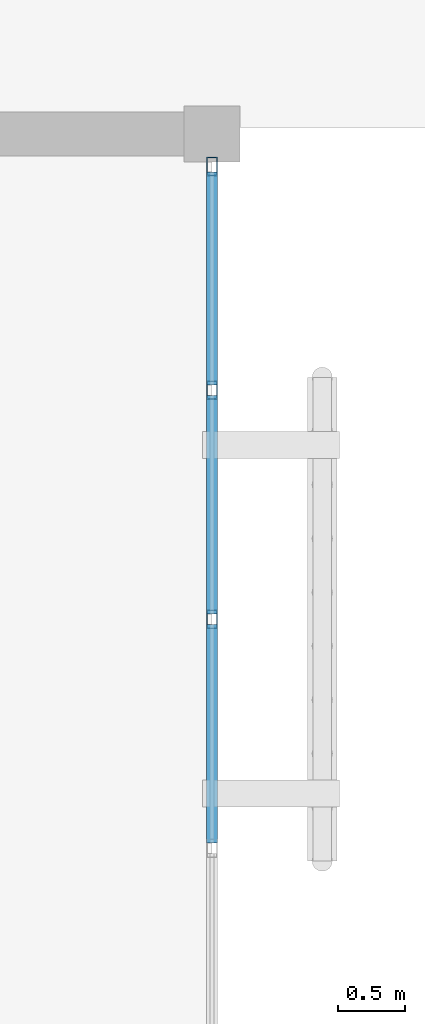
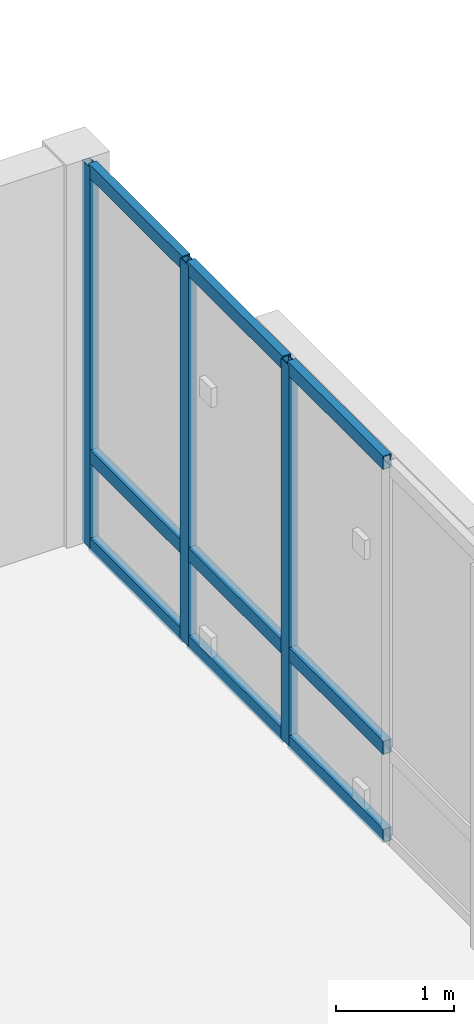
# One storey, part 31 of 61: 12 members, 1 element without a shape of its own.
"""IFC4 building model written with IfcOpenShell, lengths in metres."""

from ifc_helpers import new_model, si_unit, direction, frame, origin, origin_2d, place, context, subcontext, project, spatial, hollow_rectangle, extrude, material, layer, layer_set, material_profile, profile_set, type_object, element, aggregate, save


model = new_model("IFC4")

# Units and contexts
model_context = context("Model", 3, precision=1e-05, world=origin(), true_north=direction((0.0, 1.0)))
body_context = subcontext(model_context, "Body", "Model", "MODEL_VIEW")
ifc_project = project(units=[si_unit("LENGTHUNIT", "METRE"), si_unit("AREAUNIT", "SQUARE_METRE"), si_unit("VOLUMEUNIT", "CUBIC_METRE"), si_unit("PLANEANGLEUNIT", "RADIAN"), si_unit("MASSUNIT", "GRAM", prefix="KILO")], contexts=[model_context])

# Site, building, storey
site_placement = place(None, origin())
site = spatial("IfcSite", under=ifc_project, at=site_placement, CompositionType="ELEMENT")
building_placement = place(site_placement, origin())
building = spatial("IfcBuilding", under=site, at=building_placement, Name="Mazaris Harbour Polytechnic", CompositionType="ELEMENT")
storey_placement = place(building_placement, frame((0.0, 0.0, 18.0)))
storey = spatial("IfcBuildingStorey", under=building, at=storey_placement, Name="L04", CompositionType="ELEMENT", Elevation=18.0)

# Curtain wall, members
ifc_material_1 = material(Name="Anodised Bronze Aluminium and Low-E Glass", Category="aluminium")
ifc_layer = layer(ifc_material_1, 0.159912109375, Name="Anodised Bronze Aluminium and Low-E Glass")
ifc_layer_set = layer_set([ifc_layer], Name="Anodised Bronze Aluminium and Low-E Glass")
curtain_wall_type = type_object("IfcCurtainWallType", Name="Cloister Court Curtain Wall", PredefinedType="NOTDEFINED", material=ifc_layer_set)
curtain_wall_placement = place(storey_placement, origin())
curtain_wall = element("IfcCurtainWall", 1, at=curtain_wall_placement, inside=storey, type_object=curtain_wall_type, Name="V4 L04 Curtain Wall 166", PredefinedType="NOTDEFINED")
ifc_material_2 = material(Name="Anodised Bronze Steel S355", Category="steel")
ifc_material_profile_1 = material_profile(ifc_material_2, hollow_rectangle(XDim=0.080078125, YDim=0.139892578125, WallThickness=0.00634765625, at=origin_2d()), Name="RHS 80x140x6.3")
ifc_profile_set_1 = profile_set([ifc_material_profile_1], Name="Anodised Bronze Steel S355")
member_type_1 = type_object("IfcMemberType", Name="Curtain Mullion RHS80x140", PredefinedType="MULLION", material=ifc_profile_set_1)
member_1_placement = place(storey_placement, frame((43.199951171875, 75.35791015625, 0.0), z_axis=(0.0, 0.0, 1.0), x_axis=(1.0, 0.0, 0.0)))
member_1 = element("IfcMember", 2, at=member_1_placement, type_object=member_type_1, Name="CW-02 mullion 1", PredefinedType="MULLION", context=body_context, shape_type="SweptSolid", body=[
    extrude(hollow_rectangle(XDim=0.080078125, YDim=0.139892578125, WallThickness=0.00634765625, at=origin_2d()), origin(), (0.0, 0.0, 1.0), 3.93505859375),
])
member_2_placement = place(storey_placement, frame((43.199951171875, 73.694091796875, 0.0), z_axis=(0.0, 0.0, 1.0), x_axis=(1.0, 0.0, 0.0)))
member_2 = element("IfcMember", 3, at=member_2_placement, type_object=member_type_1, Name="CW-02 mullion 2", PredefinedType="MULLION", context=body_context, shape_type="SweptSolid", body=[
    extrude(hollow_rectangle(XDim=0.080078125, YDim=0.139892578125, WallThickness=0.00634765625, at=origin_2d()), origin(), (0.0, 0.0, 1.0), 3.93505859375),
])
member_3_placement = place(storey_placement, frame((43.199951171875, 71.989990234375, 0.0), z_axis=(0.0, 0.0, 1.0), x_axis=(1.0, 0.0, 0.0)))
member_3 = element("IfcMember", 4, at=member_3_placement, type_object=member_type_1, Name="CW-02 mullion 3", PredefinedType="MULLION", context=body_context, shape_type="SweptSolid", body=[
    extrude(hollow_rectangle(XDim=0.080078125, YDim=0.139892578125, WallThickness=0.00634765625, at=origin_2d()), origin(), (0.0, 0.0, 1.0), 3.93505859375),
])
ifc_material_3 = material(Name="Anodised Bronze Steel S355", Category="steel")
ifc_material_profile_2 = material_profile(ifc_material_3, hollow_rectangle(XDim=0.080078125, YDim=0.139892578125, WallThickness=0.00634765625, at=origin_2d()), Name="RHS 80x140x6.3")
ifc_profile_set_2 = profile_set([ifc_material_profile_2], Name="Anodised Bronze Steel S355")
member_type_2 = type_object("IfcMemberType", Name="Curtain Transom RHS80x140", PredefinedType="USERDEFINED", material=ifc_profile_set_2)
member_4_placement = place(storey_placement, frame((43.199951171875, 75.318115234375, 0.0400390625), z_axis=(0.0, -1.0, 0.0), x_axis=(1.0, 0.0, 0.0)))
member_4 = element("IfcMember", 5, at=member_4_placement, type_object=member_type_2, Name="CW-02 transom 1.1", ObjectType="TRANSOM", PredefinedType="USERDEFINED", context=body_context, shape_type="SweptSolid", body=[
    extrude(hollow_rectangle(XDim=0.080078125, YDim=0.139892578125, WallThickness=0.00634765625, at=origin_2d()), origin(), (0.0, 0.0, 1.0), 1.584228515625),
])
member_5_placement = place(storey_placement, frame((43.199951171875, 75.318115234375, 0.949951171875), z_axis=(0.0, -1.0, 0.0), x_axis=(1.0, 0.0, 0.0)))
member_5 = element("IfcMember", 6, at=member_5_placement, type_object=member_type_2, Name="CW-02 transom 1.2", ObjectType="TRANSOM", PredefinedType="USERDEFINED", context=body_context, shape_type="SweptSolid", body=[
    extrude(hollow_rectangle(XDim=0.080078125, YDim=0.139892578125, WallThickness=0.00634765625, at=origin_2d()), origin(), (0.0, 0.0, 1.0), 1.584228515625),
])
member_6_placement = place(storey_placement, frame((43.199951171875, 75.318115234375, 3.89501953125), z_axis=(0.0, -1.0, 0.0), x_axis=(1.0, 0.0, 0.0)))
member_6 = element("IfcMember", 7, at=member_6_placement, type_object=member_type_2, Name="CW-02 transom 1.3", ObjectType="TRANSOM", PredefinedType="USERDEFINED", context=body_context, shape_type="SweptSolid", body=[
    extrude(hollow_rectangle(XDim=0.080078125, YDim=0.139892578125, WallThickness=0.00634765625, at=origin_2d()), origin(), (0.0, 0.0, 1.0), 1.584228515625),
])
member_7_placement = place(storey_placement, frame((43.199951171875, 73.654052734375, 0.0400390625), z_axis=(0.0, -1.0, 0.0), x_axis=(1.0, 0.0, 0.0)))
member_7 = element("IfcMember", 8, at=member_7_placement, type_object=member_type_2, Name="CW-02 transom 2.1", ObjectType="TRANSOM", PredefinedType="USERDEFINED", context=body_context, shape_type="SweptSolid", body=[
    extrude(hollow_rectangle(XDim=0.080078125, YDim=0.139892578125, WallThickness=0.00634765625, at=origin_2d()), origin(), (0.0, 0.0, 1.0), 1.6240234375),
])
member_8_placement = place(storey_placement, frame((43.199951171875, 73.654052734375, 0.949951171875), z_axis=(0.0, -1.0, 0.0), x_axis=(1.0, 0.0, 0.0)))
member_8 = element("IfcMember", 9, at=member_8_placement, type_object=member_type_2, Name="CW-02 transom 2.2", ObjectType="TRANSOM", PredefinedType="USERDEFINED", context=body_context, shape_type="SweptSolid", body=[
    extrude(hollow_rectangle(XDim=0.080078125, YDim=0.139892578125, WallThickness=0.00634765625, at=origin_2d()), origin(), (0.0, 0.0, 1.0), 1.6240234375),
])
member_9_placement = place(storey_placement, frame((43.199951171875, 73.654052734375, 3.89501953125), z_axis=(0.0, -1.0, 0.0), x_axis=(1.0, 0.0, 0.0)))
member_9 = element("IfcMember", 10, at=member_9_placement, type_object=member_type_2, Name="CW-02 transom 2.3", ObjectType="TRANSOM", PredefinedType="USERDEFINED", context=body_context, shape_type="SweptSolid", body=[
    extrude(hollow_rectangle(XDim=0.080078125, YDim=0.139892578125, WallThickness=0.00634765625, at=origin_2d()), origin(), (0.0, 0.0, 1.0), 1.6240234375),
])
member_10_placement = place(storey_placement, frame((43.199951171875, 71.949951171875, 0.0400390625), z_axis=(0.0, -1.0, 0.0), x_axis=(1.0, 0.0, 0.0)))
member_10 = element("IfcMember", 11, at=member_10_placement, type_object=member_type_2, Name="CW-02 transom 3.1", ObjectType="TRANSOM", PredefinedType="USERDEFINED", context=body_context, shape_type="SweptSolid", body=[
    extrude(hollow_rectangle(XDim=0.080078125, YDim=0.139892578125, WallThickness=0.00634765625, at=origin_2d()), origin(), (0.0, 0.0, 1.0), 1.6240234375),
])
member_11_placement = place(storey_placement, frame((43.199951171875, 71.949951171875, 0.949951171875), z_axis=(0.0, -1.0, 0.0), x_axis=(1.0, 0.0, 0.0)))
member_11 = element("IfcMember", 12, at=member_11_placement, type_object=member_type_2, Name="CW-02 transom 3.2", ObjectType="TRANSOM", PredefinedType="USERDEFINED", context=body_context, shape_type="SweptSolid", body=[
    extrude(hollow_rectangle(XDim=0.080078125, YDim=0.139892578125, WallThickness=0.00634765625, at=origin_2d()), origin(), (0.0, 0.0, 1.0), 1.6240234375),
])
member_12_placement = place(storey_placement, frame((43.199951171875, 71.949951171875, 3.89501953125), z_axis=(0.0, -1.0, 0.0), x_axis=(1.0, 0.0, 0.0)))
member_12 = element("IfcMember", 13, at=member_12_placement, type_object=member_type_2, Name="CW-02 transom 3.3", ObjectType="TRANSOM", PredefinedType="USERDEFINED", context=body_context, shape_type="SweptSolid", body=[
    extrude(hollow_rectangle(XDim=0.080078125, YDim=0.139892578125, WallThickness=0.00634765625, at=origin_2d()), origin(), (0.0, 0.0, 1.0), 1.6240234375),
])
aggregate(curtain_wall, [member_1, member_2, member_3, member_4, member_5, member_6, member_7, member_8, member_9, member_10, member_11, member_12])

save(model, "model.ifc")
